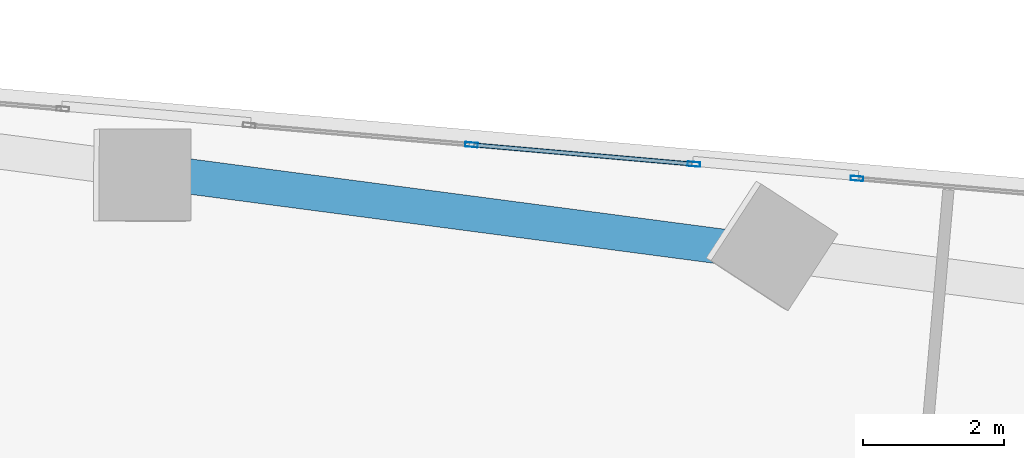
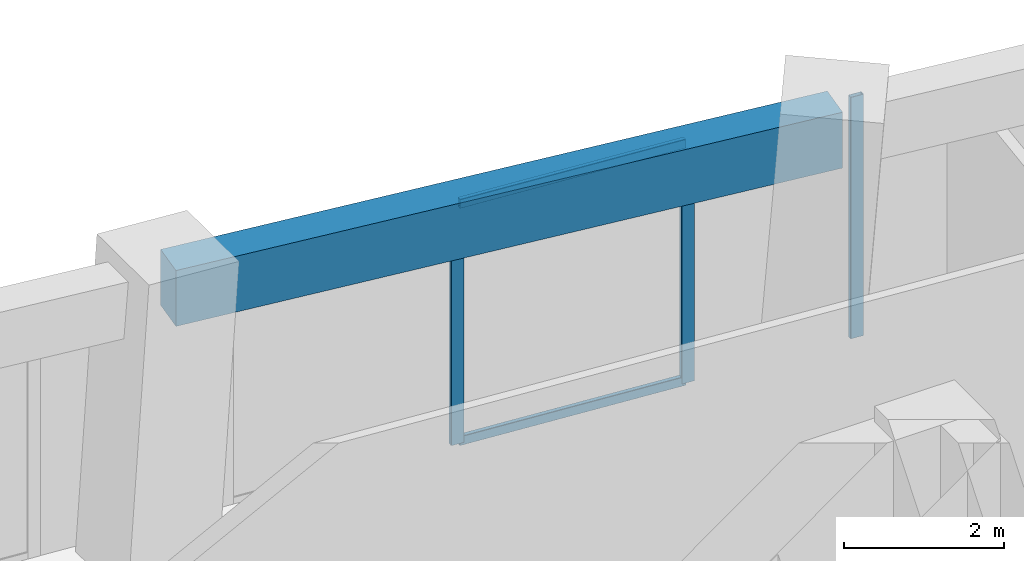
# One storey, part 16 of 23: 5 members, 1 beam, 2 elements without a shape of their own.
"""IFC4 building model written with IfcOpenShell, lengths in metres."""

from ifc_helpers import new_model, si_unit, direction, frame, origin, origin_2d, place, context, subcontext, project, spatial, rectangle, hollow_rectangle, extrude, source, transform, mapped, material, material_profile, profile_set, type_object, element, aggregate, save


model = new_model("IFC4")

# Units and contexts
model_context = context("Model", 3, precision=1e-05, world=origin(), true_north=direction((0.0, 1.0)))
body_context = subcontext(model_context, "Body", "Model", "MODEL_VIEW")
ifc_project = project(units=[si_unit("LENGTHUNIT", "METRE"), si_unit("AREAUNIT", "SQUARE_METRE"), si_unit("VOLUMEUNIT", "CUBIC_METRE"), si_unit("PLANEANGLEUNIT", "RADIAN"), si_unit("MASSUNIT", "GRAM", prefix="KILO")], contexts=[model_context])

# Site, building, storey
site_placement = place(None, origin())
site = spatial("IfcSite", under=ifc_project, at=site_placement, CompositionType="ELEMENT")
building_placement = place(site_placement, origin())
building = spatial("IfcBuilding", under=site, at=building_placement, Name="Torre Montelarca", CompositionType="ELEMENT")
storey_placement = place(building_placement, frame((0.0, 0.0, 56.800048828125)))
storey = spatial("IfcBuildingStorey", under=building, at=storey_placement, Name="L12", CompositionType="ELEMENT", Elevation=56.800048828125)

# Beam
ifc_material_1 = material(Name="Concrete C55/67", Category="concrete")
ifc_material_profile_1 = material_profile(ifc_material_1, rectangle(XDim=0.5, YDim=0.85009765625, at=origin_2d()), Name="RCB500X850", Category="concrete")
ifc_profile_set_1 = profile_set([ifc_material_profile_1], Name="Concrete C55/67")
beam_type = type_object("IfcBeamType", Name="BM-SP-RC850-EXT", PredefinedType="SPANDREL", material=ifc_profile_set_1)
shared_shape_1 = source(origin(), body_context, "Body", "SweptSolid", [
    extrude(rectangle(XDim=0.5, YDim=0.85009765625, at=origin_2d()), origin(), (0.0, 0.0, 1.0), 9.0),
])
beam_placement = place(storey_placement, frame((20.00732421875, 47.477294921875, 4.135009765625), z_axis=(0.991444043898, -0.130532401413, 0.0), x_axis=(0.130532401413, 0.991444043898, 0.0)))
element("IfcBeam", 1, at=beam_placement, inside=storey, type_object=beam_type, Name="L12 Grid Girder X 18.0-27.0 at Y=47.1", PredefinedType="SPANDREL", context=body_context, shape_type="MappedRepresentation", body=[
    mapped(shared_shape_1, transform((0.0, 0.0, 0.0), scale=1.0)),
])

# Curtain wall, member
ifc_material_2 = material(Name="Insulated low-E laminated glass", Category="glass")
curtain_wall_type = type_object("IfcCurtainWallType", Name="CW-SYS-Z1", PredefinedType="USERDEFINED", material=ifc_material_2)
curtain_wall_1_placement = place(storey_placement, origin())
curtain_wall_1 = element("IfcCurtainWall", 2, at=curtain_wall_1_placement, inside=storey, type_object=curtain_wall_type, Name="L12 Curtain Wall Run CW-T3-L12-E08-B1", ObjectType="UNITISED GLAZING", PredefinedType="USERDEFINED")
ifc_material_3 = material(Name="Anodised aluminium AA 6063-T6", Category="aluminium")
ifc_material_profile_2 = material_profile(ifc_material_3, hollow_rectangle(XDim=0.06494140625, YDim=0.179931640625, WallThickness=0.00390625, InnerFilletRadius=0.00390625, OuterFilletRadius=0.008056640625, at=origin_2d()), Name="ALU65X180X4", Category="aluminium")
ifc_profile_set_2 = profile_set([ifc_material_profile_2], Name="Anodised aluminium AA 6063-T6")
member_type_1 = type_object("IfcMemberType", Name="CWM-ALU180", PredefinedType="MULLION", material=ifc_profile_set_2)
shared_shape_2 = source(origin(), body_context, "Body", "SweptSolid", [
    extrude(hollow_rectangle(XDim=0.06494140625, YDim=0.179931640625, WallThickness=0.00390625, InnerFilletRadius=0.00390625, OuterFilletRadius=0.008056640625, at=origin_2d()), origin(), (0.0, 0.0, 1.0), 3.675048828125),
])
member_1_placement = place(storey_placement, frame((29.86572265625, 47.3994140625, 0.0), z_axis=(0.0, 0.0, 1.0), x_axis=(-0.087157839083, -0.996194514684, 0.0)))
member_1 = element("IfcMember", 3, at=member_1_placement, type_object=member_type_1, Name="CW mullion 3", PredefinedType="MULLION", context=body_context, shape_type="MappedRepresentation", body=[
    mapped(shared_shape_2, transform((0.0, 0.0, 0.0), scale=1.0)),
])
aggregate(curtain_wall_1, [member_1])

# Curtain wall, members
curtain_wall_2_placement = place(storey_placement, origin())
curtain_wall_2 = element("IfcCurtainWall", 4, at=curtain_wall_2_placement, inside=storey, type_object=curtain_wall_type, Name="L12 Curtain Wall Run CW-T3-L12-E08-B2", ObjectType="UNITISED GLAZING", PredefinedType="USERDEFINED")
member_2_placement = place(storey_placement, frame((27.549560546875, 47.60205078125, 0.0), z_axis=(0.0, 0.0, 1.0), x_axis=(-0.087165207204, -0.996193870014, 0.0)))
member_2 = element("IfcMember", 5, at=member_2_placement, type_object=member_type_1, Name="CW mullion 1", PredefinedType="MULLION", context=body_context, shape_type="MappedRepresentation", body=[
    mapped(shared_shape_2, transform((0.0, 0.0, 0.0), scale=1.0)),
])
member_3_placement = place(storey_placement, frame((24.3916015625, 47.87841796875, 0.0), z_axis=(0.0, 0.0, 1.0), x_axis=(-0.087165207204, -0.996193870014, 0.0)))
member_3 = element("IfcMember", 6, at=member_3_placement, type_object=member_type_1, Name="CW mullion 2", PredefinedType="MULLION", context=body_context, shape_type="MappedRepresentation", body=[
    mapped(shared_shape_2, transform((0.0, 0.0, 0.0), scale=1.0)),
])
ifc_material_profile_3 = material_profile(ifc_material_3, hollow_rectangle(XDim=0.06494140625, YDim=0.139892578125, WallThickness=0.00390625, InnerFilletRadius=0.00390625, OuterFilletRadius=0.008056640625, at=origin_2d()), Name="ALU65X140X4", Category="aluminium")
ifc_profile_set_3 = profile_set([ifc_material_profile_3], Name="Anodised aluminium AA 6063-T6")
member_type_2 = type_object("IfcMemberType", Name="CWT-ALU140", PredefinedType="USERDEFINED", material=ifc_profile_set_3)
shared_shape_3 = source(origin(), body_context, "Body", "SweptSolid", [
    extrude(hollow_rectangle(XDim=0.06494140625, YDim=0.139892578125, WallThickness=0.00390625, InnerFilletRadius=0.00390625, OuterFilletRadius=0.008056640625, at=origin_2d()), origin(), (0.0, 0.0, 1.0), 3.10498046875),
])
member_4_placement = place(storey_placement, frame((27.51708984375, 47.60498046875, 0.032470703125), z_axis=(-0.996191156754, 0.087196210958, 0.0), x_axis=(-0.087196210958, -0.996191156754, 0.0)))
member_4 = element("IfcMember", 7, at=member_4_placement, type_object=member_type_2, Name="CW transom 1.1", ObjectType="TRANSOM", PredefinedType="USERDEFINED", context=body_context, shape_type="MappedRepresentation", body=[
    mapped(shared_shape_3, transform((0.0, 0.0, 0.0), scale=1.0)),
])
member_5_placement = place(storey_placement, frame((27.51708984375, 47.60498046875, 3.642333984375), z_axis=(-0.996191156754, 0.087196210958, 0.0), x_axis=(-0.087196210958, -0.996191156754, 0.0)))
member_5 = element("IfcMember", 8, at=member_5_placement, type_object=member_type_2, Name="CW transom 1.2", ObjectType="TRANSOM", PredefinedType="USERDEFINED", context=body_context, shape_type="MappedRepresentation", body=[
    mapped(shared_shape_3, transform((0.0, 0.0, 0.0), scale=1.0)),
])
aggregate(curtain_wall_2, [member_2, member_3, member_4, member_5])

save(model, "model.ifc")
